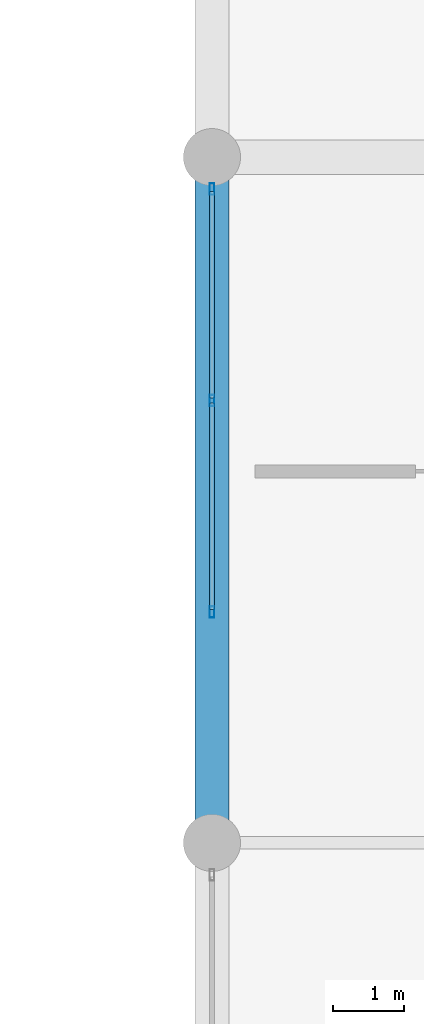
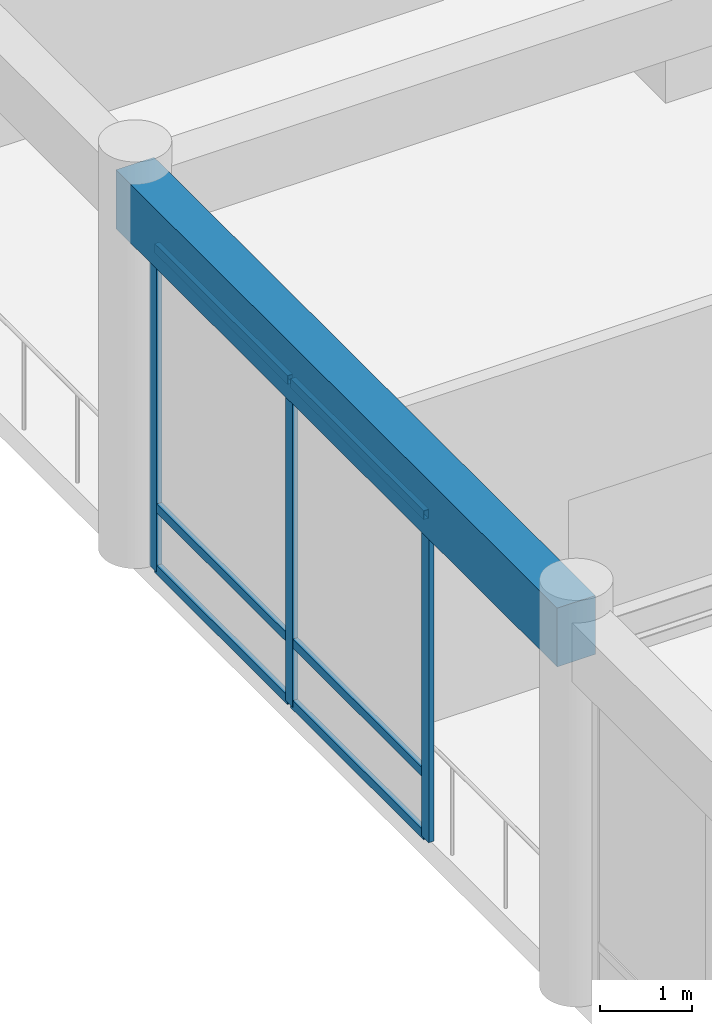
# One storey, part 43 of 134: 9 members, 1 beam, 1 element without a shape of its own.
"""IFC4 building model written with IfcOpenShell, lengths in metres."""

from ifc_helpers import new_model, si_unit, direction, frame, origin, origin_2d, place, context, subcontext, project, spatial, rectangle, hollow_rectangle, extrude, material, layer, layer_set, material_profile, profile_set, type_object, element, aggregate, save


model = new_model("IFC4")

# Units and contexts
model_context = context("Model", 3, precision=1e-05, world=origin(), true_north=direction((0.0, 1.0)))
body_context = subcontext(model_context, "Body", "Model", "MODEL_VIEW")
ifc_project = project(units=[si_unit("LENGTHUNIT", "METRE"), si_unit("AREAUNIT", "SQUARE_METRE"), si_unit("VOLUMEUNIT", "CUBIC_METRE"), si_unit("PLANEANGLEUNIT", "RADIAN"), si_unit("MASSUNIT", "GRAM", prefix="KILO")], contexts=[model_context])

# Site, building, storey
site_placement = place(None, origin())
site = spatial("IfcSite", under=ifc_project, at=site_placement, CompositionType="ELEMENT")
building_placement = place(site_placement, origin())
building = spatial("IfcBuilding", under=site, at=building_placement, Name="Nakhvara Creek Congress Hotel", CompositionType="ELEMENT")
storey_placement = place(building_placement, frame((0.0, 0.0, 6.0)))
storey = spatial("IfcBuildingStorey", under=building, at=storey_placement, Name="L01", CompositionType="ELEMENT", Elevation=6.0)

# Beam
ifc_material_1 = material(Name="Concrete C40/50", Category="concrete")
ifc_material_profile_1 = material_profile(ifc_material_1, rectangle(XDim=0.47998046875, YDim=0.780029296875, at=origin_2d()), Name="RC-BM 480x780", Category="LoadBearing")
ifc_profile_set_1 = profile_set([ifc_material_profile_1], Name="Concrete C40/50")
beam_type = type_object("IfcBeamType", Name="BM-RC-480X780", PredefinedType="BEAM", material=ifc_profile_set_1)
beam_placement = place(storey_placement, frame((124.800048828125, 62.39990234375, 4.7099609375), z_axis=(0.0, 1.0, 0.0), x_axis=(-1.0, 0.0, 0.0)))
element("IfcBeam", 1, at=beam_placement, inside=storey, type_object=beam_type, Name="Beam B13-L01-1230", PredefinedType="BEAM", context=body_context, shape_type="SweptSolid", body=[
    extrude(rectangle(XDim=0.47998046875, YDim=0.780029296875, at=origin_2d()), origin(), (0.0, 0.0, 1.0), 9.60009765625),
])

# Curtain wall, members
ifc_material_2 = material(Name="Bronze-anodised aluminium AW-6063-T6 and double-silver low-E glass", Category="aluminium")
ifc_layer = layer(ifc_material_2, 0.199951171875)
ifc_layer_set = layer_set([ifc_layer], Name="Bronze-anodised aluminium AW-6063-T6 and double-silver low-E glass")
curtain_wall_type = type_object("IfcCurtainWallType", Name="CW-POD-STICK", PredefinedType="NOTDEFINED", material=ifc_layer_set)
curtain_wall_placement = place(storey_placement, origin())
curtain_wall = element("IfcCurtainWall", 2, at=curtain_wall_placement, inside=storey, type_object=curtain_wall_type, Name="Curtain Wall CW032", PredefinedType="NOTDEFINED")
ifc_material_3 = material(Name="Bronze-anodised aluminium AW-6063-T6", Category="aluminium")
ifc_material_profile_2 = material_profile(ifc_material_3, hollow_rectangle(XDim=0.06494140625, YDim=0.159912109375, WallThickness=0.00390625, at=origin_2d()), Name="ALU-MULL 65x160x4", Category="LoadBearing")
ifc_profile_set_2 = profile_set([ifc_material_profile_2], Name="Bronze-anodised aluminium AW-6063-T6")
member_type_1 = type_object("IfcMemberType", Name="CW-MULL-160", PredefinedType="MULLION", material=ifc_profile_set_2)
member_1_placement = place(storey_placement, frame((124.800048828125, 65.632568359375, 0.0), z_axis=(0.0, 0.0, 1.0), x_axis=(-1.0, 0.0, 0.0)))
member_1 = element("IfcMember", 3, at=member_1_placement, type_object=member_type_1, Name="CW032 mullion 1", PredefinedType="MULLION", context=body_context, shape_type="SweptSolid", body=[
    extrude(hollow_rectangle(XDim=0.06494140625, YDim=0.159912109375, WallThickness=0.00390625, at=origin_2d()), origin(), (0.0, 0.0, 1.0), 4.31201171875),
])
member_2_placement = place(storey_placement, frame((124.800048828125, 68.592529296875, 0.0), z_axis=(0.0, 0.0, 1.0), x_axis=(-1.0, 0.0, 0.0)))
member_2 = element("IfcMember", 4, at=member_2_placement, type_object=member_type_1, Name="CW032 mullion 2", PredefinedType="MULLION", context=body_context, shape_type="SweptSolid", body=[
    extrude(hollow_rectangle(XDim=0.06494140625, YDim=0.159912109375, WallThickness=0.00390625, at=origin_2d()), origin(), (0.0, 0.0, 1.0), 4.31201171875),
])
member_3_placement = place(storey_placement, frame((124.800048828125, 71.552490234375, 0.0), z_axis=(0.0, 0.0, 1.0), x_axis=(-1.0, 0.0, 0.0)))
member_3 = element("IfcMember", 5, at=member_3_placement, type_object=member_type_1, Name="CW032 mullion 3", PredefinedType="MULLION", context=body_context, shape_type="SweptSolid", body=[
    extrude(hollow_rectangle(XDim=0.06494140625, YDim=0.159912109375, WallThickness=0.00390625, at=origin_2d()), origin(), (0.0, 0.0, 1.0), 4.31201171875),
])
ifc_material_profile_3 = material_profile(ifc_material_3, hollow_rectangle(XDim=0.06494140625, YDim=0.1201171875, WallThickness=0.00390625, at=origin_2d()), Name="ALU-TRAN 65x120x4", Category="LoadBearing")
ifc_profile_set_3 = profile_set([ifc_material_profile_3], Name="Bronze-anodised aluminium AW-6063-T6")
member_type_2 = type_object("IfcMemberType", Name="CW-TRAN-120", PredefinedType="USERDEFINED", material=ifc_profile_set_3)
member_4_placement = place(storey_placement, frame((124.800048828125, 65.6650390625, 0.032470703125), z_axis=(0.0, 1.0, 0.0), x_axis=(-1.0, 0.0, 0.0)))
member_4 = element("IfcMember", 6, at=member_4_placement, type_object=member_type_2, Name="CW032 transom 1.1", ObjectType="TRANSOM", PredefinedType="USERDEFINED", context=body_context, shape_type="SweptSolid", body=[
    extrude(hollow_rectangle(XDim=0.06494140625, YDim=0.1201171875, WallThickness=0.00390625, at=origin_2d()), origin(), (0.0, 0.0, 1.0), 2.89501953125),
])
member_5_placement = place(storey_placement, frame((124.800048828125, 65.6650390625, 0.85009765625), z_axis=(0.0, 1.0, 0.0), x_axis=(-1.0, 0.0, 0.0)))
member_5 = element("IfcMember", 7, at=member_5_placement, type_object=member_type_2, Name="CW032 transom 1.2", ObjectType="TRANSOM", PredefinedType="USERDEFINED", context=body_context, shape_type="SweptSolid", body=[
    extrude(hollow_rectangle(XDim=0.06494140625, YDim=0.1201171875, WallThickness=0.00390625, at=origin_2d()), origin(), (0.0, 0.0, 1.0), 2.89501953125),
])
member_6_placement = place(storey_placement, frame((124.800048828125, 65.6650390625, 4.279541015625), z_axis=(0.0, 1.0, 0.0), x_axis=(-1.0, 0.0, 0.0)))
member_6 = element("IfcMember", 8, at=member_6_placement, type_object=member_type_2, Name="CW032 transom 1.3", ObjectType="TRANSOM", PredefinedType="USERDEFINED", context=body_context, shape_type="SweptSolid", body=[
    extrude(hollow_rectangle(XDim=0.06494140625, YDim=0.1201171875, WallThickness=0.00390625, at=origin_2d()), origin(), (0.0, 0.0, 1.0), 2.89501953125),
])
member_7_placement = place(storey_placement, frame((124.800048828125, 68.625, 0.032470703125), z_axis=(0.0, 1.0, 0.0), x_axis=(-1.0, 0.0, 0.0)))
member_7 = element("IfcMember", 9, at=member_7_placement, type_object=member_type_2, Name="CW032 transom 2.1", ObjectType="TRANSOM", PredefinedType="USERDEFINED", context=body_context, shape_type="SweptSolid", body=[
    extrude(hollow_rectangle(XDim=0.06494140625, YDim=0.1201171875, WallThickness=0.00390625, at=origin_2d()), origin(), (0.0, 0.0, 1.0), 2.89501953125),
])
member_8_placement = place(storey_placement, frame((124.800048828125, 68.625, 0.85009765625), z_axis=(0.0, 1.0, 0.0), x_axis=(-1.0, 0.0, 0.0)))
member_8 = element("IfcMember", 10, at=member_8_placement, type_object=member_type_2, Name="CW032 transom 2.2", ObjectType="TRANSOM", PredefinedType="USERDEFINED", context=body_context, shape_type="SweptSolid", body=[
    extrude(hollow_rectangle(XDim=0.06494140625, YDim=0.1201171875, WallThickness=0.00390625, at=origin_2d()), origin(), (0.0, 0.0, 1.0), 2.89501953125),
])
member_9_placement = place(storey_placement, frame((124.800048828125, 68.625, 4.279541015625), z_axis=(0.0, 1.0, 0.0), x_axis=(-1.0, 0.0, 0.0)))
member_9 = element("IfcMember", 11, at=member_9_placement, type_object=member_type_2, Name="CW032 transom 2.3", ObjectType="TRANSOM", PredefinedType="USERDEFINED", context=body_context, shape_type="SweptSolid", body=[
    extrude(hollow_rectangle(XDim=0.06494140625, YDim=0.1201171875, WallThickness=0.00390625, at=origin_2d()), origin(), (0.0, 0.0, 1.0), 2.89501953125),
])
aggregate(curtain_wall, [member_1, member_2, member_3, member_4, member_5, member_6, member_7, member_8, member_9])

save(model, "model.ifc")
